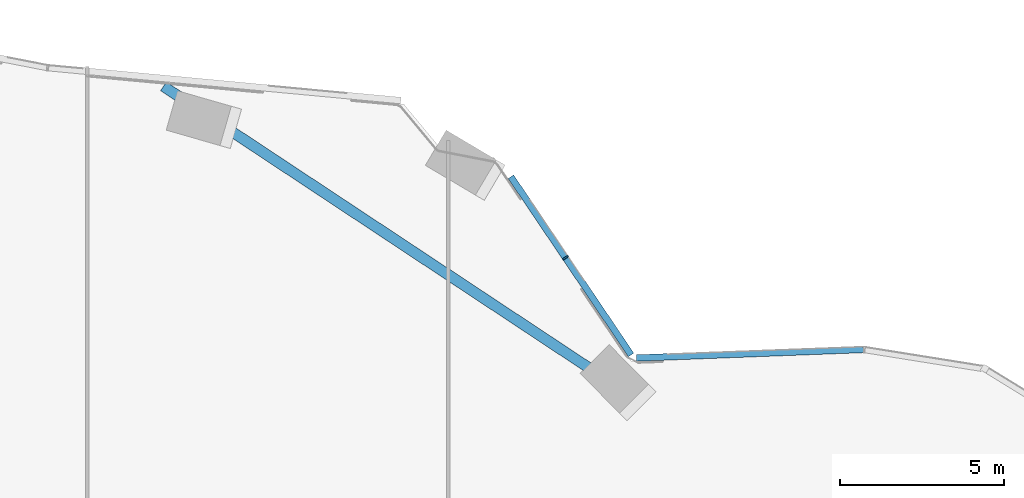
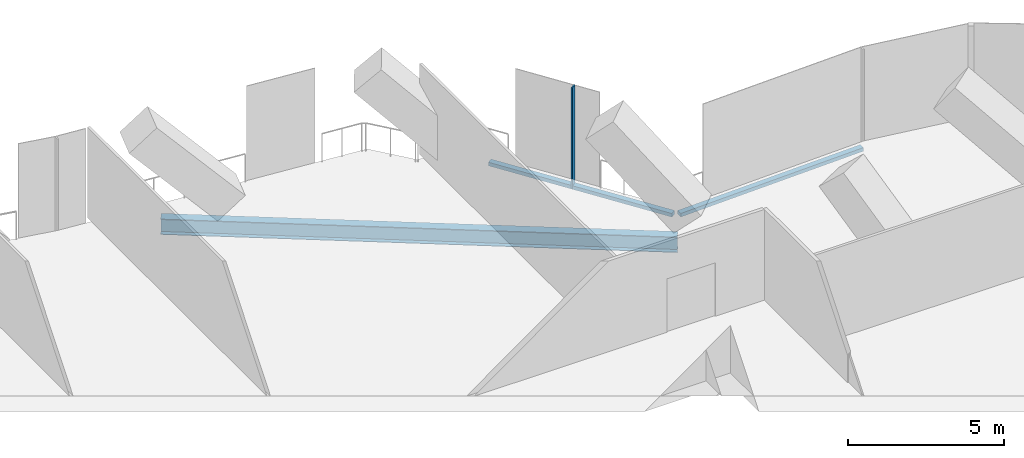
# One storey, part 11 of 28: 3 members, 1 beam, 2 elements without a shape of their own.
"""IFC4 building model written with IfcOpenShell, lengths in metres."""

import ifcopenshell
import ifcopenshell.guid

model = None  # the IFC model being written
_history = None  # IfcOwnerHistory: only IFC2X3 demands one
_inside = {}  # id of a spatial element -> (the spatial element, [elements in it])
_under = {}  # id of a project, library or spatial element -> (it, [spatial elements below it])
_declared = {}  # id of a project -> (the project, [libraries it declares])
_typed = {}  # id of a type object -> (the type object, [elements of that type])
_made_of = {}  # id of a material, layer set ... -> (it, [elements and type objects made of it])


def new_model(schema):
    """Start an empty IFC model of exactly this schema.

    Asked for "IFC4X3", IfcOpenShell would pick the latest addendum, in which some entities
    have other attributes; the version numbers below select the first issue.
    IFC2X3 requires an IfcOwnerHistory on every rooted entity: one is made here for all.
    """
    global model, _history
    if schema == "IFC4X3":
        model = ifcopenshell.file(schema_version=(4, 3, 0, 0))
    else:
        model = ifcopenshell.file(schema=schema)
    _inside.clear()
    _under.clear()
    _declared.clear()
    _typed.clear()
    _made_of.clear()
    _history = None
    if model.schema == "IFC2X3":
        org = make("IfcOrganization", Name="unknown")
        user = make(
            "IfcPersonAndOrganization",
            ThePerson=make("IfcPerson", FamilyName="unknown"),
            TheOrganization=org,
        )
        app = make(
            "IfcApplication",
            ApplicationDeveloper=org,
            Version="unknown",
            ApplicationFullName="unknown",
            ApplicationIdentifier="unknown",
        )
        _history = make(
            "IfcOwnerHistory",
            OwningUser=user,
            OwningApplication=app,
            ChangeAction="ADDED",
            CreationDate=0,
        )
    return model


def make(cls, **values):
    """One entity of the class cls with the attributes given. An attribute that is None is left unset."""
    return model.create_entity(
        cls, **{name: value for name, value in values.items() if value is not None}
    )


def rooted(cls, **values):
    """An entity with a GlobalId (a new one), such as an element, a storey or a relation."""
    return make(cls, GlobalId=ifcopenshell.guid.new(), OwnerHistory=_history, **values)


def si_unit(unit_type, name, prefix=None):
    """IfcSIUnit, for example si_unit("LENGTHUNIT", "METRE", prefix="MILLI")."""
    return make("IfcSIUnit", UnitType=unit_type, Prefix=prefix, Name=name)


def assignment(units):
    """IfcUnitAssignment: the units of a project."""
    return None if units is None else make("IfcUnitAssignment", Units=units)


def point(xyz):
    """IfcCartesianPoint."""
    return None if xyz is None else make("IfcCartesianPoint", Coordinates=xyz)


def direction(xyz):
    """IfcDirection."""
    return None if xyz is None else make("IfcDirection", DirectionRatios=xyz)


def frame(location, z_axis=None, x_axis=None):
    """IfcAxis2Placement3D, a coordinate frame: its origin and axes. An axis left out is left unset."""
    return make(
        "IfcAxis2Placement3D",
        Location=point(location),
        Axis=direction(z_axis),
        RefDirection=direction(x_axis),
    )


def frame_2d(location, x_axis=None):
    """IfcAxis2Placement2D, a coordinate frame in the plane: its origin and x axis."""
    return make(
        "IfcAxis2Placement2D", Location=point(location), RefDirection=direction(x_axis)
    )


def origin():
    """The frame at (0, 0, 0) with its axes left unset."""
    return frame((0.0, 0.0, 0.0))


def origin_2d():
    """The frame at (0, 0) in the plane with its x axis left unset."""
    return frame_2d((0.0, 0.0))


def place(relative_to, where):
    """IfcLocalPlacement: puts the frame where relative to a parent placement (None: the world)."""
    return make(
        "IfcLocalPlacement", PlacementRelTo=relative_to, RelativePlacement=where
    )


def context(
    kind, dimensions, precision=None, world=None, true_north=None, identifier=None
):
    """IfcGeometricRepresentationContext, for example the 3D "Model" context."""
    return make(
        "IfcGeometricRepresentationContext",
        ContextIdentifier=identifier,
        ContextType=kind,
        CoordinateSpaceDimension=dimensions,
        Precision=precision,
        WorldCoordinateSystem=world,
        TrueNorth=true_north,
    )


def subcontext(parent, identifier, kind, view, scale=None):
    """IfcGeometricRepresentationSubContext, for example "Body" below "Model"."""
    return make(
        "IfcGeometricRepresentationSubContext",
        ContextIdentifier=identifier,
        ContextType=kind,
        ParentContext=parent,
        TargetScale=scale,
        TargetView=view,
    )


def project(units=None, contexts=None):
    """IfcProject with its units and contexts."""
    return rooted(
        "IfcProject",
        Name="project",
        RepresentationContexts=contexts,
        UnitsInContext=assignment(units),
    )


def spatial(cls, under=None, at=None, **own):
    """A site, building, storey or space (cls), placed at a placement, below another one or the project."""
    s = rooted(cls, ObjectPlacement=at, **own)
    if under is not None:
        _under.setdefault(under.id(), (under, []))[1].append(s)
    return s


def profile(cls, at=None, kind="AREA", **sizes):
    """A parametric profile (cls). Its sizes go by their IFC names, for example OverallWidth=200.0."""
    return make(cls, ProfileType=kind, Position=at, **sizes)


def rectangle(**sizes):
    """IfcRectangleProfileDef."""
    return profile("IfcRectangleProfileDef", **sizes)


def i_section(**sizes):
    """IfcIShapeProfileDef."""
    return profile("IfcIShapeProfileDef", **sizes)


def extrude(swept, where, along, depth):
    """IfcExtrudedAreaSolid: the profile swept, set in the frame where, extruded along a direction by depth."""
    return make(
        "IfcExtrudedAreaSolid",
        SweptArea=swept,
        Position=where,
        ExtrudedDirection=direction(along),
        Depth=depth,
    )


def shape(context_of_items, identifier, shape_type, items):
    """IfcShapeRepresentation: the items that make up one representation, for example the "Body"."""
    return make(
        "IfcShapeRepresentation",
        ContextOfItems=context_of_items,
        RepresentationIdentifier=identifier,
        RepresentationType=shape_type,
        Items=items,
    )


def material(Name=None, Category=None):
    """IfcMaterial."""
    return make("IfcMaterial", Name=Name, Category=Category)


def material_profile(
    of_material, cross_section, Name=None, Category=None, Priority=None
):
    """IfcMaterialProfile: a cross section and its material."""
    return make(
        "IfcMaterialProfile",
        Name=Name,
        Material=of_material,
        Profile=cross_section,
        Priority=Priority,
        Category=Category,
    )


def profile_set(profiles, Name=None, composite=None):
    """IfcMaterialProfileSet."""
    return make(
        "IfcMaterialProfileSet",
        Name=Name,
        MaterialProfiles=profiles,
        CompositeProfile=composite,
    )


def made_of(thing, what):
    """Note that an element or type object is made of a material, layer set ...; save() writes the relation."""
    if what is not None:
        _made_of.setdefault(what.id(), (what, []))[1].append(thing)
    return thing


def type_object(cls, material=None, **own):
    """A type object (cls), such as IfcWallType, which elements share."""
    return made_of(rooted(cls, **own), material)


def element(
    cls,
    number,
    at=None,
    inside=None,
    cuts=None,
    type_object=None,
    material=None,
    context=None,
    identifier="Body",
    shape_type=None,
    held_by="IfcProductDefinitionShape",
    body=None,
    shapes=None,
    **own,
):
    """One element of the class cls, such as IfcWall. Its Tag is "e" and its number.

    at: its placement. inside: the storey or other place that contains it. cuts: it is an
    opening in that element (IfcRelVoidsElement). A single representation is given by context,
    identifier, shape_type and body (its items); several are given by shapes. held_by: the class
    of the entity that holds the representations. save() writes the other relations.
    """
    e = rooted(cls, Tag="e%d" % number, ObjectPlacement=at, **own)
    if body is not None:
        shapes = [shape(context, identifier, shape_type, body)]
    if shapes is not None:
        e.Representation = make(held_by, Representations=shapes)
    if inside is not None:
        _inside.setdefault(inside.id(), (inside, []))[1].append(e)
    if cuts is not None:
        rooted(
            "IfcRelVoidsElement", RelatingBuildingElement=cuts, RelatedOpeningElement=e
        )
    if type_object is not None:
        _typed.setdefault(type_object.id(), (type_object, []))[1].append(e)
    return made_of(e, material)


def aggregate(whole, parts):
    """IfcRelAggregates: a whole, such as a stair, and the parts it consists of."""
    return rooted("IfcRelAggregates", RelatingObject=whole, RelatedObjects=parts)


def save(model, path):
    """Write the relations noted so far, then the file.

    IfcRelAggregates (storeys below a building ...), IfcRelContainedInSpatialStructure (elements
    in a storey), IfcRelDefinesByType, IfcRelAssociatesMaterial and IfcRelDeclares: one each for
    every whole, place, type object, material and project.
    """
    for whole, parts in _under.values():
        aggregate(whole, parts)
    for where, things in _inside.values():
        rooted(
            "IfcRelContainedInSpatialStructure",
            RelatedElements=things,
            RelatingStructure=where,
        )
    for kind, things in _typed.values():
        rooted("IfcRelDefinesByType", RelatedObjects=things, RelatingType=kind)
    for what, things in _made_of.values():
        rooted("IfcRelAssociatesMaterial", RelatedObjects=things, RelatingMaterial=what)
    for by, libraries in _declared.values():
        rooted("IfcRelDeclares", RelatingContext=by, RelatedDefinitions=libraries)
    model.write(path)


model = new_model("IFC4")

# Units and contexts
model_context = context("Model", 3, precision=1e-05, world=origin(), true_north=direction((0.0, 1.0)))
body_context = subcontext(model_context, "Body", "Model", "MODEL_VIEW")
ifc_project = project(units=[si_unit("LENGTHUNIT", "METRE"), si_unit("AREAUNIT", "SQUARE_METRE"), si_unit("VOLUMEUNIT", "CUBIC_METRE"), si_unit("PLANEANGLEUNIT", "RADIAN"), si_unit("MASSUNIT", "GRAM", prefix="KILO")], contexts=[model_context])

# Site, building, storey
site_placement = place(None, origin())
site = spatial("IfcSite", under=ifc_project, at=site_placement, CompositionType="ELEMENT")
building_placement = place(site_placement, origin())
building = spatial("IfcBuilding", under=site, at=building_placement, Name="Orlundy Tower", CompositionType="ELEMENT")
storey_placement = place(building_placement, frame((0.0, 0.0, 163.10009765625)))
storey = spatial("IfcBuildingStorey", under=building, at=storey_placement, Name="L42", CompositionType="ELEMENT", Elevation=163.10009765625)

# Beam
ifc_material_1 = material(Name="Steel ASTM A992 Gr 50", Category="steel")
ifc_material_profile_1 = material_profile(ifc_material_1, i_section(OverallWidth=0.32373046875, OverallDepth=0.611083984375, WebThickness=0.0126953125, FlangeThickness=0.01904296875, at=origin_2d()), Name="W24X104")
ifc_profile_set_1 = profile_set([ifc_material_profile_1], Name="Steel ASTM A992 Gr 50")
beam_type = type_object("IfcBeamType", Name="CANTILEVER GIRDER beam W24X104", PredefinedType="BEAM", material=ifc_profile_set_1)
beam_placement = place(storey_placement, frame((7.8212890625, 29.258056640625, -0.705810546875), z_axis=(0.833920493279, -0.55188459925, 0.0), x_axis=(0.55188459925, 0.833920493279, 0.0)))
element("IfcBeam", 1, at=beam_placement, inside=storey, type_object=beam_type, Name="Cantilever girder C-H24 L42", PredefinedType="BEAM", context=body_context, shape_type="SweptSolid", body=[
    extrude(i_section(OverallWidth=0.32373046875, OverallDepth=0.611083984375, WebThickness=0.0126953125, FlangeThickness=0.01904296875, at=origin_2d()), origin(), (0.0, 0.0, 1.0), 16.64697265625),
])

# Curtain wall, members
ifc_material_2 = material(Name="Aluminium bronze anodised", Category="aluminium")
curtain_wall_type = type_object("IfcCurtainWallType", Name="CW5 wall", PredefinedType="NOTDEFINED", material=ifc_material_2)
curtain_wall_1_placement = place(storey_placement, origin())
curtain_wall_1 = element("IfcCurtainWall", 2, at=curtain_wall_1_placement, inside=storey, type_object=curtain_wall_type, Name="CW5 run 014", PredefinedType="NOTDEFINED")
ifc_material_3 = material(Name="Aluminium bronze anodised", Category="aluminium")
ifc_material_profile_2 = material_profile(ifc_material_3, rectangle(XDim=0.199951171875, YDim=0.050048828125, at=origin_2d()), Name="CW5 mullion 50x200")
ifc_profile_set_2 = profile_set([ifc_material_profile_2], Name="Aluminium bronze anodised")
member_type_1 = type_object("IfcMemberType", Name="CW5 mullion 50x200", PredefinedType="MULLION", material=ifc_profile_set_2)
member_1_placement = place(storey_placement, frame((20.10498046875, 24.0205078125, -0.400146484375), z_axis=(0.0, 0.0, 1.0), x_axis=(0.829047727729, 0.559177847512, 0.0)))
member_1 = element("IfcMember", 3, at=member_1_placement, type_object=member_type_1, Name="CW5 mullion 22", PredefinedType="MULLION", context=body_context, shape_type="SweptSolid", body=[
    extrude(rectangle(XDim=0.199951171875, YDim=0.050048828125, at=origin_2d()), origin(), (0.0, 0.0, 1.0), 3.97998046875),
])
ifc_material_4 = material(Name="Aluminium bronze anodised", Category="aluminium")
ifc_material_profile_3 = material_profile(ifc_material_4, rectangle(XDim=0.199951171875, YDim=0.139892578125, at=origin_2d()), Name="CW5 transom 200x140")
ifc_profile_set_3 = profile_set([ifc_material_profile_3], Name="Aluminium bronze anodised")
member_type_2 = type_object("IfcMemberType", Name="CW5 transom 200x140", PredefinedType="USERDEFINED", material=ifc_profile_set_3)
member_2_placement = place(storey_placement, frame((18.43603515625, 26.49462890625, -0.330078125), z_axis=(0.559170789108, -0.829052488452, 0.0), x_axis=(0.829052488452, 0.559170789108, 0.0)))
member_2 = element("IfcMember", 4, at=member_2_placement, type_object=member_type_2, Name="CW5 transom", ObjectType="TRANSOM", PredefinedType="USERDEFINED", context=body_context, shape_type="SweptSolid", body=[
    extrude(rectangle(XDim=0.199951171875, YDim=0.139892578125, at=origin_2d()), origin(), (0.0, 0.0, 1.0), 6.566650390625),
])
aggregate(curtain_wall_1, [member_1, member_2])

# Curtain wall, member
curtain_wall_2_placement = place(storey_placement, origin())
curtain_wall_2 = element("IfcCurtainWall", 5, at=curtain_wall_2_placement, inside=storey, type_object=curtain_wall_type, Name="CW5 run 015", PredefinedType="NOTDEFINED")
member_3_placement = place(storey_placement, frame((22.273681640625, 20.956787109375, -0.330078125), z_axis=(0.999283470675, 0.037848979317, 0.0), x_axis=(-0.037848979317, 0.999283470675, 0.0)))
member_3 = element("IfcMember", 6, at=member_3_placement, type_object=member_type_2, Name="CW5 transom", ObjectType="TRANSOM", PredefinedType="USERDEFINED", context=body_context, shape_type="SweptSolid", body=[
    extrude(rectangle(XDim=0.199951171875, YDim=0.139892578125, at=origin_2d()), origin(), (0.0, 0.0, 1.0), 6.93408203125),
])
aggregate(curtain_wall_2, [member_3])

save(model, "model.ifc")
